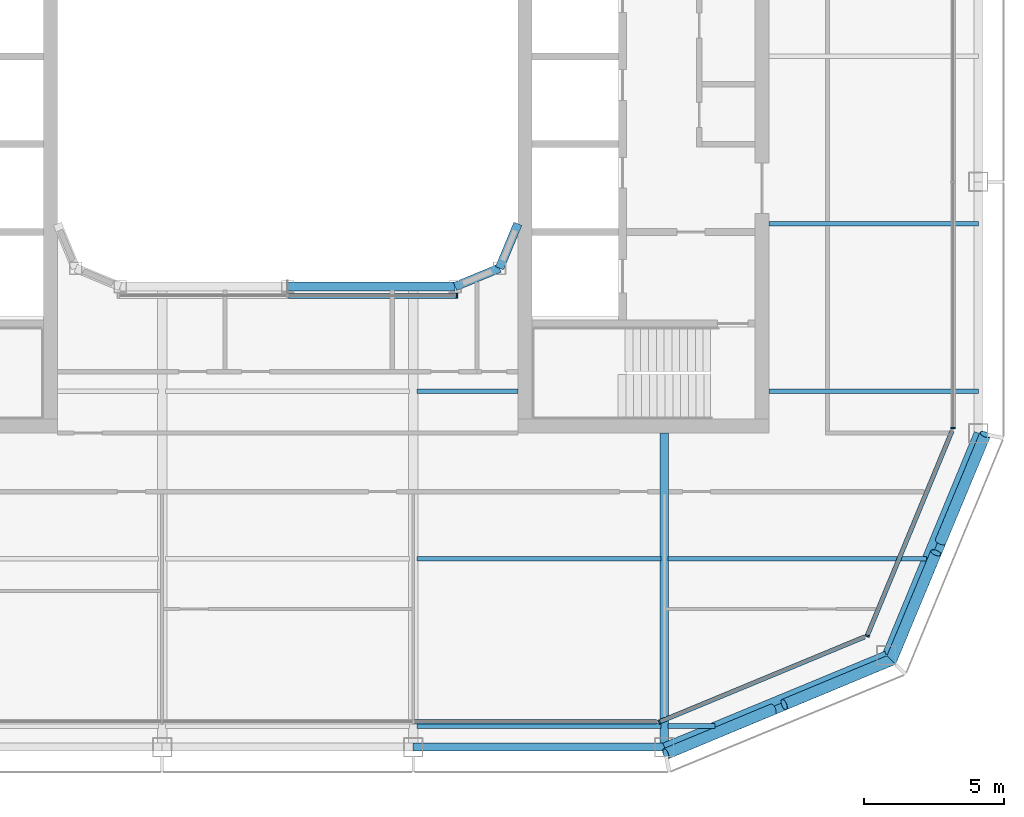
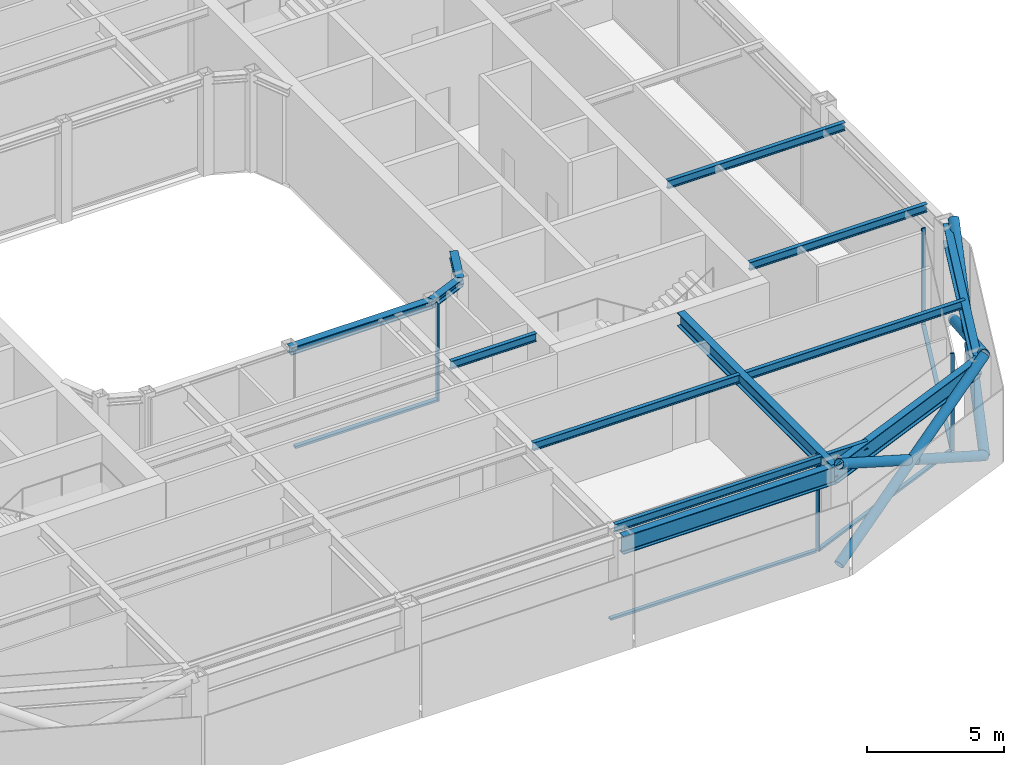
# One storey, part 5 of 22: 14 beams, 14 members, 5 elements without a shape of their own.
"""IFC4 building model written with IfcOpenShell, lengths in metres."""

from ifc_helpers import new_model, si_unit, direction, frame, origin, origin_2d, place, context, subcontext, project, spatial, rectangle, hollow_circle, i_section, extrude, material, layer, layer_set, material_profile, profile_set, type_object, element, aggregate, save


model = new_model("IFC4")

# Units and contexts
model_context = context("Model", 3, precision=1e-05, world=origin(), true_north=direction((0.0, 1.0)))
body_context = subcontext(model_context, "Body", "Model", "MODEL_VIEW")
ifc_project = project(units=[si_unit("LENGTHUNIT", "METRE"), si_unit("AREAUNIT", "SQUARE_METRE"), si_unit("VOLUMEUNIT", "CUBIC_METRE"), si_unit("PLANEANGLEUNIT", "RADIAN"), si_unit("MASSUNIT", "GRAM", prefix="KILO")], contexts=[model_context])

# Site, building, storey
site_placement = place(None, origin())
site = spatial("IfcSite", under=ifc_project, at=site_placement, CompositionType="ELEMENT")
building_placement = place(site_placement, origin())
building = spatial("IfcBuilding", under=site, at=building_placement, Name="Siwar Civic Tower", CompositionType="ELEMENT")
storey_placement = place(building_placement, frame((0.0, 0.0, 330.199951171875)))
storey = spatial("IfcBuildingStorey", under=building, at=storey_placement, Name="L71", CompositionType="ELEMENT", Elevation=330.199951171875)

# Curtain wall, member
ifc_material_1 = material(Name="Aluminium clad insulated panel", Category="aluminium")
ifc_layer_1 = layer(ifc_material_1, 0.159912109375)
ifc_layer_set_1 = layer_set([ifc_layer_1], Name="Aluminium clad insulated panel")
curtain_wall_type_1 = type_object("IfcCurtainWallType", Name="ENV-CW-DX", PredefinedType="NOTDEFINED", material=ifc_layer_set_1)
curtain_wall_1_placement = place(storey_placement, origin())
curtain_wall_1 = element("IfcCurtainWall", 1, at=curtain_wall_1_placement, inside=storey, type_object=curtain_wall_type_1, Name="Curtain wall D SE1", PredefinedType="NOTDEFINED")
ifc_material_2 = material(Name="Aluminium 6063-T6", Category="aluminium")
ifc_material_profile_1 = material_profile(ifc_material_2, rectangle(XDim=0.159912109375, YDim=0.06005859375, at=origin_2d()), Name="AL 160x60")
ifc_profile_set_1 = profile_set([ifc_material_profile_1], Name="Aluminium 6063-T6")
member_type_1 = type_object("IfcMemberType", Name="ENV-MULLION-D", PredefinedType="MULLION", material=ifc_profile_set_1)
member_1_placement = place(storey_placement, frame((13.321044921875, -23.85009765625, 0.0), z_axis=(0.0, 0.0, 1.0), x_axis=(-0.382683432365, 0.923879532511, 0.0)))
member_1 = element("IfcMember", 2, at=member_1_placement, type_object=member_type_1, Name="Mullion D SE1 1", PredefinedType="MULLION", context=body_context, shape_type="SweptSolid", body=[
    extrude(rectangle(XDim=0.159912109375, YDim=0.06005859375, at=origin_2d()), origin(), (0.0, 0.0, 1.0), 4.35009765625),
])

curtain_wall_2_placement = place(storey_placement, origin())
curtain_wall_2 = element("IfcCurtainWall", 3, at=curtain_wall_2_placement, inside=storey, type_object=curtain_wall_type_1, Name="Curtain wall D SE2", PredefinedType="NOTDEFINED")
member_2_placement = place(storey_placement, frame((20.76611328125, -20.76611328125, 0.0), z_axis=(0.0, 0.0, 1.0), x_axis=(-0.923879532511, 0.382683432365, 0.0)))
member_2 = element("IfcMember", 4, at=member_2_placement, type_object=member_type_1, Name="Mullion D SE2 1", PredefinedType="MULLION", context=body_context, shape_type="SweptSolid", body=[
    extrude(rectangle(XDim=0.159912109375, YDim=0.06005859375, at=origin_2d()), origin(), (0.0, 0.0, 1.0), 4.35009765625),
])

ifc_material_3 = material(Name="Aluminium and glass", Category="aluminium")
ifc_layer_2 = layer(ifc_material_3, 0.159912109375)
ifc_layer_set_2 = layer_set([ifc_layer_2], Name="Aluminium and glass")
curtain_wall_type_2 = type_object("IfcCurtainWallType", Name="ENV-CW-D", PredefinedType="NOTDEFINED", material=ifc_layer_set_2)
curtain_wall_3_placement = place(storey_placement, origin())
curtain_wall_3 = element("IfcCurtainWall", 5, at=curtain_wall_3_placement, inside=storey, type_object=curtain_wall_type_2, Name="Curtain wall D E", PredefinedType="NOTDEFINED")
member_3_placement = place(storey_placement, frame((23.85009765625, -13.321044921875, 0.0), z_axis=(0.0, 0.0, 1.0), x_axis=(-1.0, 0.0, 0.0)))
member_3 = element("IfcMember", 6, at=member_3_placement, type_object=member_type_1, Name="Mullion D E 1", PredefinedType="MULLION", context=body_context, shape_type="SweptSolid", body=[
    extrude(rectangle(XDim=0.159912109375, YDim=0.06005859375, at=origin_2d()), origin(), (0.0, 0.0, 1.0), 4.35009765625),
])
aggregate(curtain_wall_3, [member_3])

ifc_material_4 = material(Name="Aluminium and glass", Category="aluminium")
ifc_layer_3 = layer(ifc_material_4, 0.179931640625)
ifc_layer_set_3 = layer_set([ifc_layer_3], Name="Aluminium and glass")
curtain_wall_type_3 = type_object("IfcCurtainWallType", Name="ENV-CW-W", PredefinedType="NOTDEFINED", material=ifc_layer_set_3)
curtain_wall_4_placement = place(storey_placement, origin())
curtain_wall_4 = element("IfcCurtainWall", 7, at=curtain_wall_4_placement, inside=storey, type_object=curtain_wall_type_3, Name="Curtain wall W WS", PredefinedType="NOTDEFINED")
ifc_material_5 = material(Name="Aluminium 6063-T6", Category="aluminium")
ifc_material_profile_2 = material_profile(ifc_material_5, rectangle(XDim=0.179931640625, YDim=0.06005859375, at=origin_2d()), Name="AL 180x60")
ifc_profile_set_2 = profile_set([ifc_material_profile_2], Name="Aluminium 6063-T6")
member_type_2 = type_object("IfcMemberType", Name="ENV-MULLION-W", PredefinedType="MULLION", material=ifc_profile_set_2)
member_4_placement = place(storey_placement, frame((6.066650390625, -8.5849609375, 0.0), z_axis=(0.0, 0.0, 1.0), x_axis=(0.0, 1.0, 0.0)))
member_4 = element("IfcMember", 8, at=member_4_placement, type_object=member_type_2, Name="Mullion W WS 3", PredefinedType="MULLION", context=body_context, shape_type="SweptSolid", body=[
    extrude(rectangle(XDim=0.179931640625, YDim=0.06005859375, at=origin_2d()), origin(), (0.0, 0.0, 1.0), 4.35009765625),
])

curtain_wall_5_placement = place(storey_placement, origin())
curtain_wall_5 = element("IfcCurtainWall", 9, at=curtain_wall_5_placement, inside=storey, type_object=curtain_wall_type_2, Name="Curtain wall D S", PredefinedType="NOTDEFINED")
ifc_material_6 = material(Name="Aluminium 6063-T6", Category="aluminium")
ifc_material_profile_3 = material_profile(ifc_material_6, rectangle(XDim=0.159912109375, YDim=0.10009765625, at=origin_2d()), Name="AL 160x100")
ifc_profile_set_3 = profile_set([ifc_material_profile_3], Name="Aluminium 6063-T6")
member_type_3 = type_object("IfcMemberType", Name="ENV-TRANSOM-D", PredefinedType="USERDEFINED", material=ifc_profile_set_3)
member_5_placement = place(storey_placement, frame((4.530029296875, -23.85009765625, 0.050048828125), z_axis=(1.0, 0.0, 0.0), x_axis=(0.0, 1.0, 0.0)))
member_5 = element("IfcMember", 10, at=member_5_placement, type_object=member_type_3, Name="Transom D S 3", ObjectType="TRANSOM", PredefinedType="USERDEFINED", context=body_context, shape_type="SweptSolid", body=[
    extrude(rectangle(XDim=0.159912109375, YDim=0.10009765625, at=origin_2d()), origin(), (0.0, 0.0, 1.0), 8.693115234375),
])
aggregate(curtain_wall_5, [member_5])

# Member
member_6_placement = place(storey_placement, frame((13.3486328125, -23.838623046875, 0.050048828125), z_axis=(0.923872756612, 0.382699790424, 0.0), x_axis=(-0.382699790424, 0.923872756612, 0.0)))
member_6 = element("IfcMember", 11, at=member_6_placement, type_object=member_type_3, Name="Transom D SE1 1", ObjectType="TRANSOM", PredefinedType="USERDEFINED", context=body_context, shape_type="SweptSolid", body=[
    extrude(rectangle(XDim=0.159912109375, YDim=0.10009765625, at=origin_2d()), origin(), (0.0, 0.0, 1.0), 7.930908203125),
])

aggregate(curtain_wall_1, [member_1, member_6])

member_7_placement = place(storey_placement, frame((20.777587890625, -20.738525390625, 0.050048828125), z_axis=(0.382673515031, 0.923883640343, 0.0), x_axis=(-0.923883640343, 0.382673515031, 0.0)))
member_7 = element("IfcMember", 12, at=member_7_placement, type_object=member_type_3, Name="Transom D SE2 1", ObjectType="TRANSOM", PredefinedType="USERDEFINED", context=body_context, shape_type="SweptSolid", body=[
    extrude(rectangle(XDim=0.159912109375, YDim=0.10009765625, at=origin_2d()), origin(), (0.0, 0.0, 1.0), 7.930908203125),
])

aggregate(curtain_wall_2, [member_2, member_7])

ifc_material_7 = material(Name="Aluminium 6063-T6", Category="aluminium")
ifc_material_profile_4 = material_profile(ifc_material_7, rectangle(XDim=0.179931640625, YDim=0.10009765625, at=origin_2d()), Name="AL 180x100")
ifc_profile_set_4 = profile_set([ifc_material_profile_4], Name="Aluminium 6063-T6")
member_type_4 = type_object("IfcMemberType", Name="ENV-TRANSOM-W", PredefinedType="USERDEFINED", material=ifc_profile_set_4)
member_8_placement = place(storey_placement, frame((0.030029296875, -8.5849609375, 0.050048828125), z_axis=(1.0, 0.0, 0.0), x_axis=(0.0, 1.0, 0.0)))
member_8 = element("IfcMember", 13, at=member_8_placement, type_object=member_type_4, Name="Transom W WS 2", ObjectType="TRANSOM", PredefinedType="USERDEFINED", context=body_context, shape_type="SweptSolid", body=[
    extrude(rectangle(XDim=0.179931640625, YDim=0.10009765625, at=origin_2d()), origin(), (0.0, 0.0, 1.0), 6.006591796875),
])

aggregate(curtain_wall_4, [member_4, member_8])

# Members
ifc_material_8 = material(Name="Steel S355", Category="steel")
ifc_material_profile_5 = material_profile(ifc_material_8, hollow_circle(Radius=0.203125, WallThickness=0.01611328125, at=origin_2d()), Name="CHS406.4x16")
ifc_profile_set_5 = profile_set([ifc_material_profile_5], Name="Steel S355")
member_type_5 = type_object("IfcMemberType", Name="STR-BR-CHS406.4x16", PredefinedType="BRACE", material=ifc_profile_set_5)
member_9_placement = place(storey_placement, frame((24.9951171875, -13.548828125, 0.0), z_axis=(-0.341671493852, -0.821142553604, 0.457149315816), x_axis=(0.923264922524, -0.384163874976, 0.0)))
element("IfcMember", 14, at=member_9_placement, inside=storey, type_object=member_type_5, Name="L71/brc/DSE1-10-0-1", PredefinedType="BRACE", context=body_context, shape_type="SweptSolid", body=[
    extrude(hollow_circle(Radius=0.203125, WallThickness=0.01611328125, at=origin_2d()), origin(), (0.0, 0.0, 1.0), 9.843505859375),
])
member_10_placement = place(storey_placement, frame((21.6318359375, -21.6318359375, 0.0), z_axis=(0.341644380467, 0.821147096886, 0.457161418507), x_axis=(-0.923276488787, 0.38413607648, 0.0)))
element("IfcMember", 15, at=member_10_placement, inside=storey, type_object=member_type_5, Name="L71/brc/DSE1-10-0-2", PredefinedType="BRACE", context=body_context, shape_type="SweptSolid", body=[
    extrude(hollow_circle(Radius=0.203125, WallThickness=0.01611328125, at=origin_2d()), origin(), (0.0, 0.0, 1.0), 4.677001953125),
])
member_11_placement = place(storey_placement, frame((23.397216796875, -17.38916015625, 2.362060546875), z_axis=(0.341667178655, 0.821149689876, 0.457139722456), x_axis=(-0.923267827529, 0.384156893273, 0.0)))
element("IfcMember", 16, at=member_11_placement, inside=storey, type_object=member_type_5, Name="L71/brc/DSE1-10-0-3", PredefinedType="BRACE", context=body_context, shape_type="SweptSolid", body=[
    extrude(hollow_circle(Radius=0.203125, WallThickness=0.01611328125, at=origin_2d()), origin(), (0.0, 0.0, 1.0), 4.6767578125),
])
member_12_placement = place(storey_placement, frame((13.548828125, -24.9951171875, 0.0), z_axis=(0.821142553604, 0.341671493852, 0.457149315816), x_axis=(-0.384163874976, 0.923264922524, 0.0)))
element("IfcMember", 17, at=member_12_placement, inside=storey, type_object=member_type_5, Name="L71/brc/DSE1-10-0-0", PredefinedType="BRACE", context=body_context, shape_type="SweptSolid", body=[
    extrude(hollow_circle(Radius=0.203125, WallThickness=0.01611328125, at=origin_2d()), origin(), (0.0, 0.0, 1.0), 9.843505859375),
])
member_13_placement = place(storey_placement, frame((21.6318359375, -21.6318359375, 0.0), z_axis=(-0.821147096886, -0.341644380467, 0.457161418507), x_axis=(0.38413607648, -0.923276488787, 0.0)))
element("IfcMember", 18, at=member_13_placement, inside=storey, type_object=member_type_5, Name="L71/brc/DSE1-10-0-4", PredefinedType="BRACE", context=body_context, shape_type="SweptSolid", body=[
    extrude(hollow_circle(Radius=0.203125, WallThickness=0.01611328125, at=origin_2d()), origin(), (0.0, 0.0, 1.0), 4.677001953125),
])
member_14_placement = place(storey_placement, frame((17.38916015625, -23.397216796875, 2.362060546875), z_axis=(-0.821149689876, -0.341667178655, 0.457139722456), x_axis=(0.384156893273, -0.923267827529, 0.0)))
element("IfcMember", 19, at=member_14_placement, inside=storey, type_object=member_type_5, Name="L71/brc/DSE1-10-0-5", PredefinedType="BRACE", context=body_context, shape_type="SweptSolid", body=[
    extrude(hollow_circle(Radius=0.203125, WallThickness=0.01611328125, at=origin_2d()), origin(), (0.0, 0.0, 1.0), 4.6767578125),
])

# Beams
ifc_material_9 = material(Name="Steel S355", Category="steel")
ifc_material_profile_6 = material_profile(ifc_material_9, i_section(OverallWidth=0.169921875, OverallDepth=0.360107421875, WebThickness=0.008056640625, FlangeThickness=0.0126953125, FilletRadius=0.01806640625, at=origin_2d()), Name="IPE360")
ifc_profile_set_6 = profile_set([ifc_material_profile_6], Name="Steel S355")
beam_type_1 = type_object("IfcBeamType", Name="STR-FB-IPE360", PredefinedType="JOIST", material=ifc_profile_set_6)
beam_1_placement = place(storey_placement, frame((4.6298828125, -24.0, 4.170166015625), z_axis=(1.0, 0.0, 0.0), x_axis=(0.0, 1.0, 0.0)))
element("IfcBeam", 20, at=beam_1_placement, inside=storey, type_object=beam_type_1, Name="L71/bm/F004", PredefinedType="JOIST", context=body_context, shape_type="SweptSolid", body=[
    extrude(i_section(OverallWidth=0.169921875, OverallDepth=0.360107421875, WebThickness=0.008056640625, FlangeThickness=0.0126953125, FilletRadius=0.01806640625, at=origin_2d()), origin(), (0.0, 0.0, 1.0), 8.740234375),
])
beam_2_placement = place(storey_placement, frame((13.6298828125, -24.0, 4.170166015625), z_axis=(1.0, 0.0, 0.0), x_axis=(0.0, 1.0, 0.0)))
element("IfcBeam", 21, at=beam_2_placement, inside=storey, type_object=beam_type_1, Name="L71/bm/F005", PredefinedType="JOIST", context=body_context, shape_type="SweptSolid", body=[
    extrude(i_section(OverallWidth=0.169921875, OverallDepth=0.360107421875, WebThickness=0.008056640625, FlangeThickness=0.0126953125, FilletRadius=0.01806640625, at=origin_2d()), origin(), (0.0, 0.0, 1.0), 1.6806640625),
])
beam_3_placement = place(storey_placement, frame((4.6298828125, -18.0, 4.170166015625), z_axis=(1.0, 0.0, 0.0), x_axis=(0.0, 1.0, 0.0)))
element("IfcBeam", 22, at=beam_3_placement, inside=storey, type_object=beam_type_1, Name="L71/bm/F009", PredefinedType="JOIST", context=body_context, shape_type="SweptSolid", body=[
    extrude(i_section(OverallWidth=0.169921875, OverallDepth=0.360107421875, WebThickness=0.008056640625, FlangeThickness=0.0126953125, FilletRadius=0.01806640625, at=origin_2d()), origin(), (0.0, 0.0, 1.0), 8.740234375),
])
beam_4_placement = place(storey_placement, frame((13.6298828125, -18.0, 4.170166015625), z_axis=(1.0, 0.0, 0.0), x_axis=(0.0, 1.0, 0.0)))
element("IfcBeam", 23, at=beam_4_placement, inside=storey, type_object=beam_type_1, Name="L71/bm/F010", PredefinedType="JOIST", context=body_context, shape_type="SweptSolid", body=[
    extrude(i_section(OverallWidth=0.169921875, OverallDepth=0.360107421875, WebThickness=0.008056640625, FlangeThickness=0.0126953125, FilletRadius=0.01806640625, at=origin_2d()), origin(), (0.0, 0.0, 1.0), 9.256103515625),
])
beam_5_placement = place(storey_placement, frame((4.6298828125, -12.0, 4.170166015625), z_axis=(1.0, 0.0, 0.0), x_axis=(0.0, 1.0, 0.0)))
element("IfcBeam", 24, at=beam_5_placement, inside=storey, type_object=beam_type_1, Name="L71/bm/F014", PredefinedType="JOIST", context=body_context, shape_type="SweptSolid", body=[
    extrude(i_section(OverallWidth=0.169921875, OverallDepth=0.360107421875, WebThickness=0.008056640625, FlangeThickness=0.0126953125, FilletRadius=0.01806640625, at=origin_2d()), origin(), (0.0, 0.0, 1.0), 3.6201171875),
])
for number, where, z_axis, x_axis, name in (
    (25, (17.25, -12.0, 4.170166015625), (1.0, 0.0, 0.0), (0.0, 1.0, 0.0), "L71/bm/F015"),
    (26, (17.25, -6.0, 4.170166015625), (1.0, 0.0, 0.0), (0.0, 1.0, 0.0), "L71/bm/F017"),
):
    element("IfcBeam", number, at=place(storey_placement, frame(where, z_axis=z_axis, x_axis=x_axis)), inside=storey, type_object=beam_type_1, Name=name, PredefinedType="JOIST", context=body_context, shape_type="SweptSolid", body=[
        extrude(i_section(OverallWidth=0.169921875, OverallDepth=0.360107421875, WebThickness=0.008056640625, FlangeThickness=0.0126953125, FilletRadius=0.01806640625, at=origin_2d()), origin(), (0.0, 0.0, 1.0), 7.5),
    ])
ifc_material_10 = material(Name="Steel S355", Category="steel")
ifc_material_profile_7 = material_profile(ifc_material_10, i_section(OverallWidth=0.300048828125, OverallDepth=0.60009765625, WebThickness=0.015380859375, FlangeThickness=0.030029296875, FilletRadius=0.027099609375, at=origin_2d()), Name="HEB600")
ifc_profile_set_7 = profile_set([ifc_material_profile_7], Name="Steel S355")
beam_type_2 = type_object("IfcBeamType", Name="STR-PG-HEB600", PredefinedType="BEAM", material=ifc_profile_set_7)
beam_6_placement = place(storey_placement, frame((13.5, -24.75, 4.050048828125), z_axis=(0.0, 1.0, 0.0), x_axis=(-1.0, 0.0, 0.0)))
element("IfcBeam", 27, at=beam_6_placement, inside=storey, type_object=beam_type_2, Name="L71/bm/G07", PredefinedType="BEAM", context=body_context, shape_type="SweptSolid", body=[
    extrude(i_section(OverallWidth=0.300048828125, OverallDepth=0.60009765625, WebThickness=0.015380859375, FlangeThickness=0.030029296875, FilletRadius=0.027099609375, at=origin_2d()), origin(), (0.0, 0.0, 1.0), 11.25),
])
ifc_material_11 = material(Name="Steel S355", Category="steel")
ifc_material_profile_8 = material_profile(ifc_material_11, i_section(OverallWidth=0.31005859375, OverallDepth=0.340087890625, WebThickness=0.02099609375, FlangeThickness=0.0390625, FilletRadius=0.027099609375, at=origin_2d()), Name="HEM300")
ifc_profile_set_8 = profile_set([ifc_material_profile_8], Name="Steel S355")
beam_type_3 = type_object("IfcBeamType", Name="STR-RB-HEM300", PredefinedType="BEAM", material=ifc_profile_set_8)
beam_7_placement = place(storey_placement, frame((0.0, -8.25, 4.179931640625), z_axis=(1.0, 0.0, 0.0), x_axis=(0.0, 1.0, 0.0)))
element("IfcBeam", 28, at=beam_7_placement, inside=storey, type_object=beam_type_3, Name="L71/bm/RS2", PredefinedType="BEAM", context=body_context, shape_type="SweptSolid", body=[
    extrude(i_section(OverallWidth=0.31005859375, OverallDepth=0.340087890625, WebThickness=0.02099609375, FlangeThickness=0.0390625, FilletRadius=0.027099609375, at=origin_2d()), origin(), (0.0, 0.0, 1.0), 6.0),
])
for number, where, z_axis, x_axis, name in (
    (29, (6.0, -8.25, 4.179931640625), (0.923901072997, 0.382631424892, 0.0), (-0.382631424892, 0.923901072997, 0.0), "L71/bm/RS3"),
    (30, (7.591064453125, -7.591064453125, 4.179931640625), (0.382631424892, 0.923901072997, 0.0), (-0.923901072997, 0.382631424892, 0.0), "L71/bm/RSEE"),
):
    element("IfcBeam", number, at=place(storey_placement, frame(where, z_axis=z_axis, x_axis=x_axis)), inside=storey, type_object=beam_type_3, Name=name, PredefinedType="BEAM", context=body_context, shape_type="SweptSolid", body=[
        extrude(i_section(OverallWidth=0.31005859375, OverallDepth=0.340087890625, WebThickness=0.02099609375, FlangeThickness=0.0390625, FilletRadius=0.027099609375, at=origin_2d()), origin(), (0.0, 0.0, 1.0), 1.72216796875),
    ])
ifc_material_12 = material(Name="Steel S355", Category="steel")
ifc_material_profile_9 = material_profile(ifc_material_12, i_section(OverallWidth=0.300048828125, OverallDepth=0.800048828125, WebThickness=0.017578125, FlangeThickness=0.032958984375, FilletRadius=0.030029296875, at=origin_2d()), Name="HEB800")
ifc_profile_set_9 = profile_set([ifc_material_profile_9], Name="Steel S355")
beam_type_4 = type_object("IfcBeamType", Name="STR-SB-HEB800", PredefinedType="BEAM", material=ifc_profile_set_9)
beam_8_placement = place(storey_placement, frame((4.5, -24.75, 3.949951171875), z_axis=(1.0, 0.0, 0.0), x_axis=(0.0, 1.0, 0.0)))
element("IfcBeam", 31, at=beam_8_placement, inside=storey, type_object=beam_type_4, Name="L71/bm/SS-2", PredefinedType="BEAM", context=body_context, shape_type="SweptSolid", body=[
    extrude(i_section(OverallWidth=0.300048828125, OverallDepth=0.800048828125, WebThickness=0.017578125, FlangeThickness=0.032958984375, FilletRadius=0.030029296875, at=origin_2d()), origin(), (0.0, 0.0, 1.0), 9.0),
])
for number, where, z_axis, x_axis, name in (
    (32, (13.5, -24.75, 3.949951171875), (0.923872720536, 0.382699877515, 0.0), (-0.382699877515, 0.923872720536, 0.0), "L71/bm/SSE1-0"),
    (33, (21.454833984375, -21.454833984375, 3.949951171875), (0.382699877515, 0.923872720536, 0.0), (-0.923872720536, 0.382699877515, 0.0), "L71/bm/SSE2-0"),
):
    element("IfcBeam", number, at=place(storey_placement, frame(where, z_axis=z_axis, x_axis=x_axis)), inside=storey, type_object=beam_type_4, Name=name, PredefinedType="BEAM", context=body_context, shape_type="SweptSolid", body=[
        extrude(i_section(OverallWidth=0.300048828125, OverallDepth=0.800048828125, WebThickness=0.017578125, FlangeThickness=0.032958984375, FilletRadius=0.030029296875, at=origin_2d()), origin(), (0.0, 0.0, 1.0), 8.6103515625),
    ])

save(model, "model.ifc")
